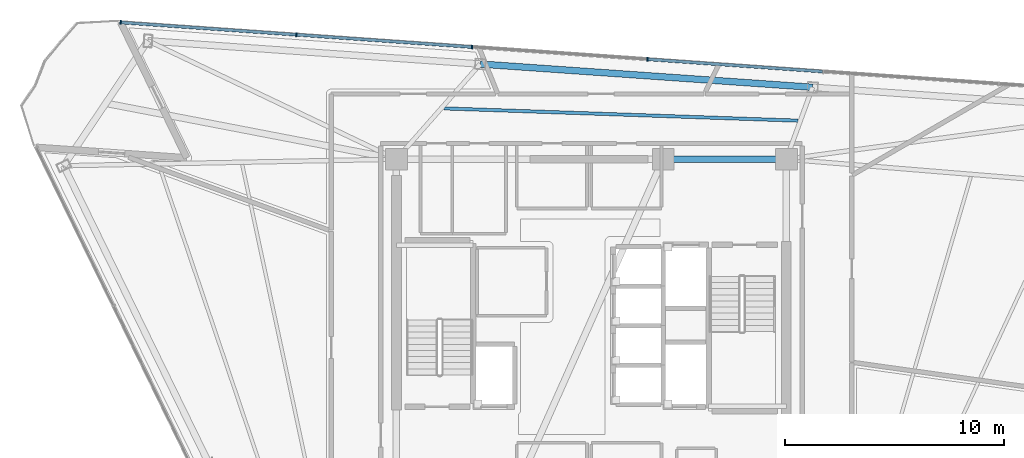
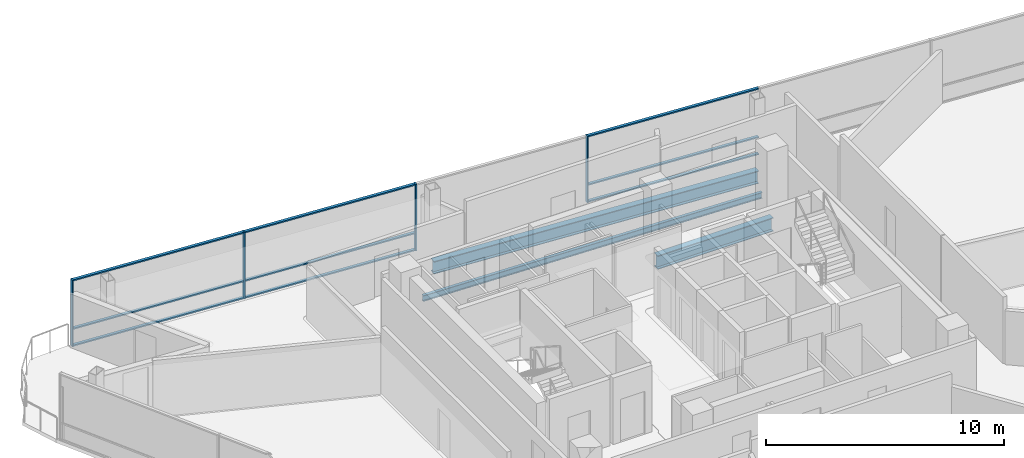
# One storey, part 6 of 13: 13 members, 3 beams, 1 element without a shape of its own.
"""IFC4 building model written with IfcOpenShell, lengths in metres."""

from ifc_helpers import new_model, si_unit, direction, frame, origin, origin_2d, place, context, subcontext, project, spatial, rectangle, i_section, extrude, material, layer, layer_set, material_profile, profile_set, type_object, element, aggregate, save


model = new_model("IFC4")

# Units and contexts
model_context = context("Model", 3, precision=1e-05, world=origin(), true_north=direction((0.0, 1.0)))
body_context = subcontext(model_context, "Body", "Model", "MODEL_VIEW")
ifc_project = project(units=[si_unit("LENGTHUNIT", "METRE"), si_unit("AREAUNIT", "SQUARE_METRE"), si_unit("VOLUMEUNIT", "CUBIC_METRE"), si_unit("PLANEANGLEUNIT", "RADIAN"), si_unit("MASSUNIT", "GRAM", prefix="KILO")], contexts=[model_context])

# Site, building, storey
site_placement = place(None, origin())
site = spatial("IfcSite", under=ifc_project, at=site_placement, CompositionType="ELEMENT")
building_placement = place(site_placement, origin())
building = spatial("IfcBuilding", under=site, at=building_placement, Name="Tharavind Bronze Gate", CompositionType="ELEMENT")
storey_placement = place(building_placement, frame((0.0, 0.0, 234.25)))
storey = spatial("IfcBuildingStorey", under=building, at=storey_placement, Name="L60", CompositionType="ELEMENT", Elevation=234.25)

# Curtain wall, members
ifc_material_1 = material(Name="Anodised Bronze Aluminium", Category="aluminium")
ifc_layer = layer(ifc_material_1, 0.219970703125)
ifc_layer_set = layer_set([ifc_layer], Name="Anodised Bronze Aluminium")
curtain_wall_type = type_object("IfcCurtainWallType", Name="UNITISED CURTAIN WALL UPPER OFFICE", PredefinedType="USERDEFINED", material=ifc_layer_set)
curtain_wall_placement = place(storey_placement, origin())
curtain_wall = element("IfcCurtainWall", 1, at=curtain_wall_placement, inside=storey, type_object=curtain_wall_type, Name="L60 unitised curtain wall upper office CW-L60-S3", ObjectType="UNITISED CURTAIN WALL", PredefinedType="USERDEFINED")
member_type_1 = type_object("IfcMemberType", Name="CURTAIN WALL BRONZE MULLION 65X180", PredefinedType="MULLION", material=ifc_material_1)
member_1_placement = place(storey_placement, frame((2.5654296875, 12.162353515625, 0.0), z_axis=(0.0, 0.0, 1.0), x_axis=(-0.99756392851, 0.069758214822, 0.0)))
member_1 = element("IfcMember", 2, at=member_1_placement, type_object=member_type_1, Name="CW-L60-S3 mullion 4", PredefinedType="MULLION", context=body_context, shape_type="SweptSolid", body=[
    extrude(rectangle(XDim=0.06494140625, YDim=0.179931640625, at=origin_2d()), origin(), (0.0, 0.0, 1.0), 3.419921875),
])
member_2_placement = place(storey_placement, frame((-5.452880859375, 12.72314453125, 0.0), z_axis=(0.0, 0.0, 1.0), x_axis=(-0.99756392851, 0.069758214822, 0.0)))
member_2 = element("IfcMember", 3, at=member_2_placement, type_object=member_type_1, Name="CW-L60-S3 mullion 5", PredefinedType="MULLION", context=body_context, shape_type="SweptSolid", body=[
    extrude(rectangle(XDim=0.06494140625, YDim=0.179931640625, at=origin_2d()), origin(), (0.0, 0.0, 1.0), 3.419921875),
])
member_3_placement = place(storey_placement, frame((-13.471435546875, 13.28369140625, 0.0), z_axis=(0.0, 0.0, 1.0), x_axis=(-0.99756392851, 0.069758214822, 0.0)))
member_3 = element("IfcMember", 4, at=member_3_placement, type_object=member_type_1, Name="CW-L60-S3 mullion 6", PredefinedType="MULLION", context=body_context, shape_type="SweptSolid", body=[
    extrude(rectangle(XDim=0.06494140625, YDim=0.179931640625, at=origin_2d()), origin(), (0.0, 0.0, 1.0), 3.419921875),
])
member_4_placement = place(storey_placement, frame((-21.489990234375, 13.844482421875, 0.0), z_axis=(0.0, 0.0, 1.0), x_axis=(-0.99756392851, 0.069758214822, 0.0)))
member_4 = element("IfcMember", 5, at=member_4_placement, type_object=member_type_1, Name="CW-L60-S3 mullion 7", PredefinedType="MULLION", context=body_context, shape_type="SweptSolid", body=[
    extrude(rectangle(XDim=0.06494140625, YDim=0.179931640625, at=origin_2d()), origin(), (0.0, 0.0, 1.0), 3.419921875),
])
member_type_2 = type_object("IfcMemberType", Name="CURTAIN WALL BRONZE TRANSOM 65X140", PredefinedType="USERDEFINED", material=ifc_material_1)
member_5_placement = place(storey_placement, frame((6.57470703125, 11.882080078125, 0.0), z_axis=(0.0, 0.0, 1.0), x_axis=(-0.99756392851, 0.069758214822, 0.0)))
member_5 = element("IfcMember", 6, at=member_5_placement, type_object=member_type_2, Name="CW-L60-S3 transom TB3", ObjectType="TRANSOM", PredefinedType="USERDEFINED", context=body_context, shape_type="SweptSolid", body=[
    extrude(rectangle(XDim=7.985107421875, YDim=0.139892578125, at=origin_2d()), origin(), (0.0, 0.0, 1.0), 0.06494140625),
])
member_6_placement = place(storey_placement, frame((6.57470703125, 11.882080078125, 0.867431640625), z_axis=(0.0, 0.0, 1.0), x_axis=(-0.99756392851, 0.069758214822, 0.0)))
member_6 = element("IfcMember", 7, at=member_6_placement, type_object=member_type_2, Name="CW-L60-S3 transom TS3", ObjectType="TRANSOM", PredefinedType="USERDEFINED", context=body_context, shape_type="SweptSolid", body=[
    extrude(rectangle(XDim=7.985107421875, YDim=0.139892578125, at=origin_2d()), origin(), (0.0, 0.0, 1.0), 0.06494140625),
])
member_7_placement = place(storey_placement, frame((6.57470703125, 11.882080078125, 3.35498046875), z_axis=(0.0, 0.0, 1.0), x_axis=(-0.99756392851, 0.069758214822, 0.0)))
member_7 = element("IfcMember", 8, at=member_7_placement, type_object=member_type_2, Name="CW-L60-S3 transom TT3", ObjectType="TRANSOM", PredefinedType="USERDEFINED", context=body_context, shape_type="SweptSolid", body=[
    extrude(rectangle(XDim=7.985107421875, YDim=0.139892578125, at=origin_2d()), origin(), (0.0, 0.0, 1.0), 0.06494140625),
])
member_8_placement = place(storey_placement, frame((-9.462158203125, 13.00341796875, 0.0), z_axis=(0.0, 0.0, 1.0), x_axis=(-0.99756392851, 0.069758214822, 0.0)))
member_8 = element("IfcMember", 9, at=member_8_placement, type_object=member_type_2, Name="CW-L60-S3 transom TB5", ObjectType="TRANSOM", PredefinedType="USERDEFINED", context=body_context, shape_type="SweptSolid", body=[
    extrude(rectangle(XDim=7.985107421875, YDim=0.139892578125, at=origin_2d()), origin(), (0.0, 0.0, 1.0), 0.06494140625),
])
member_9_placement = place(storey_placement, frame((-9.462158203125, 13.00341796875, 0.867431640625), z_axis=(0.0, 0.0, 1.0), x_axis=(-0.99756392851, 0.069758214822, 0.0)))
member_9 = element("IfcMember", 10, at=member_9_placement, type_object=member_type_2, Name="CW-L60-S3 transom TS5", ObjectType="TRANSOM", PredefinedType="USERDEFINED", context=body_context, shape_type="SweptSolid", body=[
    extrude(rectangle(XDim=7.985107421875, YDim=0.139892578125, at=origin_2d()), origin(), (0.0, 0.0, 1.0), 0.06494140625),
])
member_10_placement = place(storey_placement, frame((-9.462158203125, 13.00341796875, 3.35498046875), z_axis=(0.0, 0.0, 1.0), x_axis=(-0.99756392851, 0.069758214822, 0.0)))
member_10 = element("IfcMember", 11, at=member_10_placement, type_object=member_type_2, Name="CW-L60-S3 transom TT5", ObjectType="TRANSOM", PredefinedType="USERDEFINED", context=body_context, shape_type="SweptSolid", body=[
    extrude(rectangle(XDim=7.985107421875, YDim=0.139892578125, at=origin_2d()), origin(), (0.0, 0.0, 1.0), 0.06494140625),
])
member_11_placement = place(storey_placement, frame((-17.480712890625, 13.564208984375, 0.0), z_axis=(0.0, 0.0, 1.0), x_axis=(-0.99756392851, 0.069758214822, 0.0)))
member_11 = element("IfcMember", 12, at=member_11_placement, type_object=member_type_2, Name="CW-L60-S3 transom TB6", ObjectType="TRANSOM", PredefinedType="USERDEFINED", context=body_context, shape_type="SweptSolid", body=[
    extrude(rectangle(XDim=7.985107421875, YDim=0.139892578125, at=origin_2d()), origin(), (0.0, 0.0, 1.0), 0.06494140625),
])
member_12_placement = place(storey_placement, frame((-17.480712890625, 13.564208984375, 0.867431640625), z_axis=(0.0, 0.0, 1.0), x_axis=(-0.99756392851, 0.069758214822, 0.0)))
member_12 = element("IfcMember", 13, at=member_12_placement, type_object=member_type_2, Name="CW-L60-S3 transom TS6", ObjectType="TRANSOM", PredefinedType="USERDEFINED", context=body_context, shape_type="SweptSolid", body=[
    extrude(rectangle(XDim=7.985107421875, YDim=0.139892578125, at=origin_2d()), origin(), (0.0, 0.0, 1.0), 0.06494140625),
])
member_13_placement = place(storey_placement, frame((-17.480712890625, 13.564208984375, 3.35498046875), z_axis=(0.0, 0.0, 1.0), x_axis=(-0.99756392851, 0.069758214822, 0.0)))
member_13 = element("IfcMember", 14, at=member_13_placement, type_object=member_type_2, Name="CW-L60-S3 transom TT6", ObjectType="TRANSOM", PredefinedType="USERDEFINED", context=body_context, shape_type="SweptSolid", body=[
    extrude(rectangle(XDim=7.985107421875, YDim=0.139892578125, at=origin_2d()), origin(), (0.0, 0.0, 1.0), 0.06494140625),
])
aggregate(curtain_wall, [member_1, member_2, member_3, member_4, member_5, member_6, member_7, member_8, member_9, member_10, member_11, member_12, member_13])

# Beams
ifc_material_2 = material(Name="Steel S355", Category="steel")
ifc_material_profile_1 = material_profile(ifc_material_2, i_section(OverallWidth=0.300048828125, OverallDepth=0.64990234375, WebThickness=0.01611328125, FlangeThickness=0.031005859375, at=origin_2d()), Name="HE650B")
ifc_profile_set_1 = profile_set([ifc_material_profile_1], Name="Steel S355")
beam_type_1 = type_object("IfcBeamType", Name="PRIMARY GIRDER HE650B", PredefinedType="USERDEFINED", material=ifc_profile_set_1)
beam_1_placement = place(storey_placement, frame((10.099609375, 10.8837890625, -0.5048828125), z_axis=(-0.997564956602, 0.069743511238, 0.0), x_axis=(-0.069743511238, -0.997564956602, 0.0)))
element("IfcBeam", 15, at=beam_1_placement, inside=storey, type_object=beam_type_1, Name="L60 primary girder he650b BM-L60-PRG10", ObjectType="GIRDER", PredefinedType="USERDEFINED", context=body_context, shape_type="SweptSolid", body=[
    extrude(i_section(OverallWidth=0.300048828125, OverallDepth=0.64990234375, WebThickness=0.01611328125, FlangeThickness=0.031005859375, at=origin_2d()), origin(), (0.0, 0.0, 1.0), 15.2099609375),
])
ifc_material_profile_2 = material_profile(ifc_material_2, i_section(OverallWidth=0.300048828125, OverallDepth=0.699951171875, WebThickness=0.01708984375, FlangeThickness=0.031982421875, at=origin_2d()), Name="HE700B")
ifc_profile_set_2 = profile_set([ifc_material_profile_2], Name="Steel S355")
beam_type_2 = type_object("IfcBeamType", Name="RING GIRDER HE700B", PredefinedType="USERDEFINED", material=ifc_profile_set_2)
beam_2_placement = place(storey_placement, frame((8.89990234375, 7.60009765625, -0.530029296875), z_axis=(-1.0, 0.0, 0.0), x_axis=(0.0, -1.0, 0.0)))
element("IfcBeam", 16, at=beam_2_placement, inside=storey, type_object=beam_type_2, Name="L60 ring girder he700b BM-L60-CR4", ObjectType="GIRDER", PredefinedType="USERDEFINED", context=body_context, shape_type="SweptSolid", body=[
    extrude(i_section(OverallWidth=0.300048828125, OverallDepth=0.699951171875, WebThickness=0.01708984375, FlangeThickness=0.031982421875, at=origin_2d()), origin(), (0.0, 0.0, 1.0), 5.619873046875),
])
ifc_material_profile_3 = material_profile(ifc_material_2, i_section(OverallWidth=0.14990234375, OverallDepth=0.300048828125, WebThickness=0.007080078125, FlangeThickness=0.0107421875, at=origin_2d()), Name="IPE300")
ifc_profile_set_3 = profile_set([ifc_material_profile_3], Name="Steel S355")
beam_type_3 = type_object("IfcBeamType", Name="SECONDARY FLOOR JOIST IPE300", PredefinedType="JOIST", material=ifc_profile_set_3)
beam_3_placement = place(storey_placement, frame((9.4326171875, 9.360595703125, -0.330078125), z_axis=(-0.999400965348, 0.034607953742, 0.0), x_axis=(-0.034607953742, -0.999400965348, 0.0)))
element("IfcBeam", 17, at=beam_3_placement, inside=storey, type_object=beam_type_3, Name="L60 secondary floor joist ipe300 BM-L60-JSTA10", PredefinedType="JOIST", context=body_context, shape_type="SweptSolid", body=[
    extrude(i_section(OverallWidth=0.14990234375, OverallDepth=0.300048828125, WebThickness=0.007080078125, FlangeThickness=0.0107421875, at=origin_2d()), origin(), (0.0, 0.0, 1.0), 16.161865234375),
])

save(model, "model.ifc")
